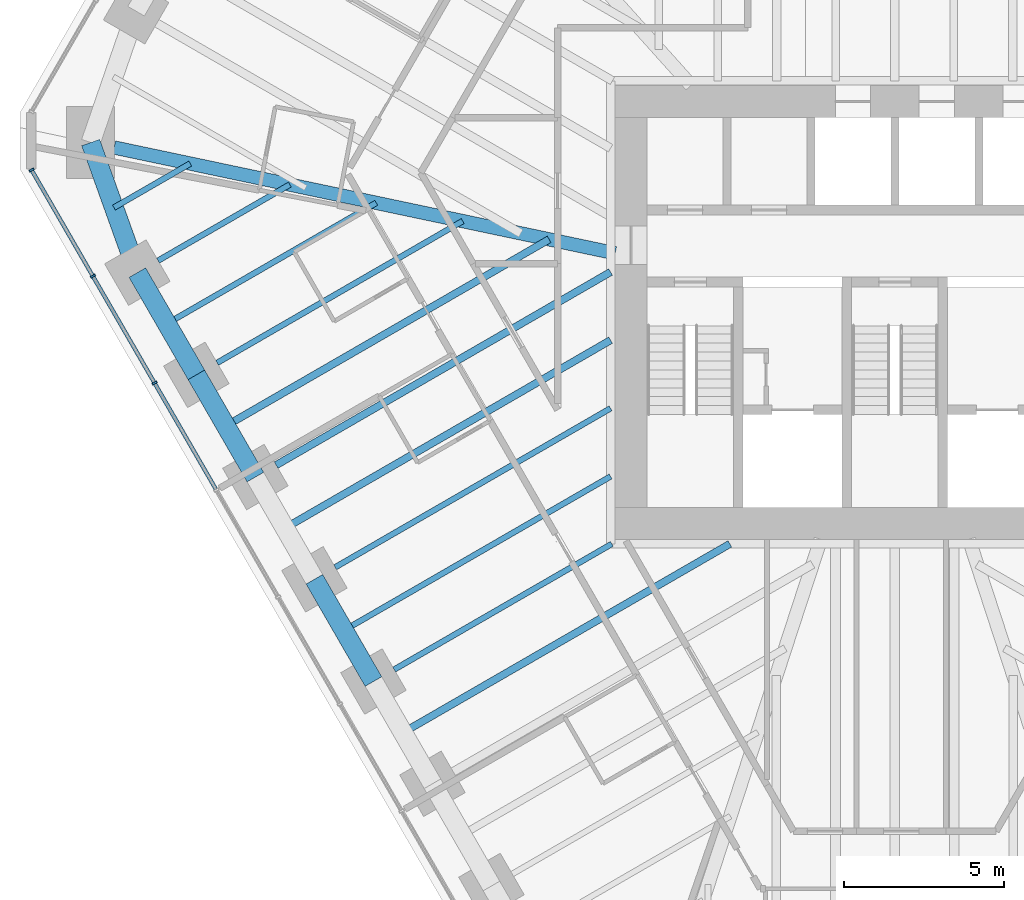
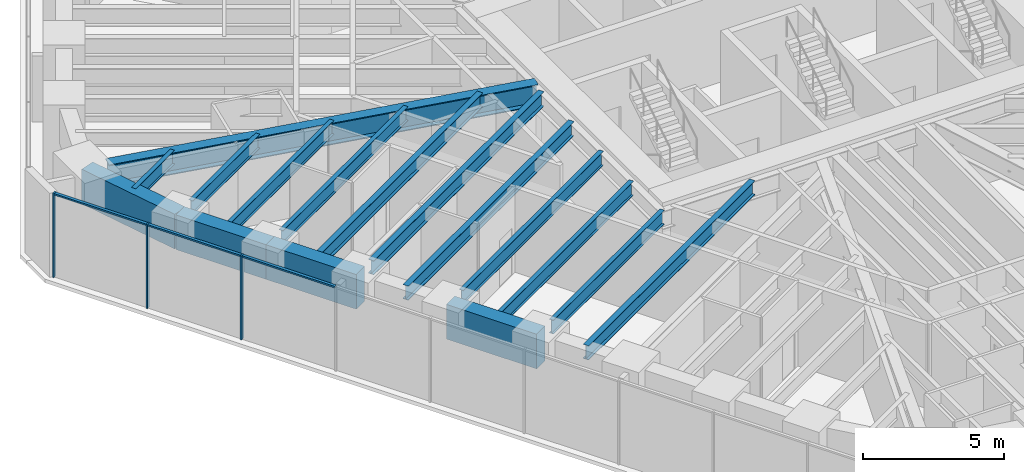
# One storey, part 3 of 17: 16 beams, 6 members, 1 element without a shape of its own.
"""IFC4 building model written with IfcOpenShell, lengths in metres."""

from ifc_helpers import new_model, si_unit, direction, frame, origin, origin_2d, place, context, subcontext, project, spatial, rectangle, i_section, extrude, material, material_profile, profile_set, type_object, element, aggregate, save


model = new_model("IFC4")

# Units and contexts
model_context = context("Model", 3, precision=1e-05, world=origin(), true_north=direction((0.0, 1.0)))
body_context = subcontext(model_context, "Body", "Model", "MODEL_VIEW")
ifc_project = project(units=[si_unit("LENGTHUNIT", "METRE"), si_unit("AREAUNIT", "SQUARE_METRE"), si_unit("VOLUMEUNIT", "CUBIC_METRE"), si_unit("PLANEANGLEUNIT", "RADIAN"), si_unit("MASSUNIT", "GRAM", prefix="KILO")], contexts=[model_context])

# Site, building, storey
site_placement = place(None, origin())
site = spatial("IfcSite", under=ifc_project, at=site_placement, CompositionType="ELEMENT")
building_placement = place(site_placement, origin())
building = spatial("IfcBuilding", under=site, at=building_placement, Name="Sandreach Pilgrim Tower", CompositionType="ELEMENT")
storey_placement = place(building_placement, frame((0.0, 0.0, 217.39990234375)))
storey = spatial("IfcBuildingStorey", under=building, at=storey_placement, Name="L54", CompositionType="ELEMENT", Elevation=217.39990234375)

# Curtain wall, members
ifc_material_1 = material(Name="Aluminium framed curtain wall", Category="aluminium")
curtain_wall_type = type_object("IfcCurtainWallType", Name="Upper hotel tower curtain wall", PredefinedType="NOTDEFINED", material=ifc_material_1)
curtain_wall_placement = place(storey_placement, origin())
curtain_wall = element("IfcCurtainWall", 1, at=curtain_wall_placement, inside=storey, type_object=curtain_wall_type, Name="CW-3 L54 SW", PredefinedType="NOTDEFINED")
ifc_material_2 = material(Name="Aluminium extrusion", Category="aluminium")
ifc_material_profile_1 = material_profile(ifc_material_2, rectangle(XDim=0.06494140625, YDim=0.159912109375, at=origin_2d()), Name="CW-3M 65X160")
ifc_profile_set_1 = profile_set([ifc_material_profile_1], Name="Aluminium extrusion")
member_type_1 = type_object("IfcMemberType", Name="CW-3 mullion", PredefinedType="MULLION", material=ifc_profile_set_1)
member_1_placement = place(storey_placement, frame((-23.15576171875, -2.21337890625, 0.0), z_axis=(0.0, 0.0, 1.0), x_axis=(-0.5, 0.866025403784, 0.0)))
member_1 = element("IfcMember", 2, at=member_1_placement, type_object=member_type_1, Name="CW-3 mullion 8", PredefinedType="MULLION", context=body_context, shape_type="SweptSolid", body=[
    extrude(rectangle(XDim=0.06494140625, YDim=0.159912109375, at=origin_2d()), origin(), (0.0, 0.0, 1.0), 3.64013671875),
])
member_2_placement = place(storey_placement, frame((-25.087890625, 1.13330078125, 0.0), z_axis=(0.0, 0.0, 1.0), x_axis=(-0.5, 0.866025403784, 0.0)))
member_2 = element("IfcMember", 3, at=member_2_placement, type_object=member_type_1, Name="CW-3 mullion 9", PredefinedType="MULLION", context=body_context, shape_type="SweptSolid", body=[
    extrude(rectangle(XDim=0.06494140625, YDim=0.159912109375, at=origin_2d()), origin(), (0.0, 0.0, 1.0), 3.64013671875),
])
member_3_placement = place(storey_placement, frame((-27.00390625, 4.451904296875, 0.0), z_axis=(0.0, 0.0, 1.0), x_axis=(-0.5, 0.866025403784, 0.0)))
member_3 = element("IfcMember", 4, at=member_3_placement, type_object=member_type_1, Name="CW-3 mullion 10", PredefinedType="MULLION", context=body_context, shape_type="SweptSolid", body=[
    extrude(rectangle(XDim=0.06494140625, YDim=0.159912109375, at=origin_2d()), origin(), (0.0, 0.0, 1.0), 3.64013671875),
])
ifc_material_3 = material(Name="Aluminium extrusion", Category="aluminium")
ifc_material_profile_2 = material_profile(ifc_material_3, rectangle(XDim=0.1201171875, YDim=0.070068359375, at=origin_2d()), Name="CW-3T 120X70")
ifc_profile_set_2 = profile_set([ifc_material_profile_2], Name="Aluminium extrusion")
member_type_2 = type_object("IfcMemberType", Name="CW-3 transom", PredefinedType="USERDEFINED", material=ifc_profile_set_2)
member_4_placement = place(storey_placement, frame((-21.23974609375, -5.531982421875, 3.60498046875), z_axis=(-0.499974606132, 0.866040064445, 0.0), x_axis=(-0.866040064445, -0.499974606132, 0.0)))
member_4 = element("IfcMember", 5, at=member_4_placement, type_object=member_type_2, Name="CW-3 head transom 7", ObjectType="TRANSOM", PredefinedType="USERDEFINED", context=body_context, shape_type="SweptSolid", body=[
    extrude(rectangle(XDim=0.1201171875, YDim=0.070068359375, at=origin_2d()), origin(), (0.0, 0.0, 1.0), 3.799560546875),
])
member_5_placement = place(storey_placement, frame((-23.171875, -2.185302734375, 3.60498046875), z_axis=(-0.500022797313, 0.86601224135, 0.0), x_axis=(-0.86601224135, -0.500022797313, 0.0)))
member_5 = element("IfcMember", 6, at=member_5_placement, type_object=member_type_2, Name="CW-3 head transom 8", ObjectType="TRANSOM", PredefinedType="USERDEFINED", context=body_context, shape_type="SweptSolid", body=[
    extrude(rectangle(XDim=0.1201171875, YDim=0.070068359375, at=origin_2d()), origin(), (0.0, 0.0, 1.0), 3.799560546875),
])
member_6_placement = place(storey_placement, frame((-25.104248046875, 1.161376953125, 3.60498046875), z_axis=(-0.499944992379, 0.86605716012, 0.0), x_axis=(-0.86605716012, -0.499944992379, 0.0)))
member_6 = element("IfcMember", 7, at=member_6_placement, type_object=member_type_2, Name="CW-3 head transom 9", ObjectType="TRANSOM", PredefinedType="USERDEFINED", context=body_context, shape_type="SweptSolid", body=[
    extrude(rectangle(XDim=0.1201171875, YDim=0.070068359375, at=origin_2d()), origin(), (0.0, 0.0, 1.0), 3.76708984375),
])
aggregate(curtain_wall, [member_1, member_2, member_3, member_4, member_5, member_6])

# Beams
ifc_material_4 = material(Name="Steel ASTM A992 Grade 50", Category="steel")
ifc_material_profile_3 = material_profile(ifc_material_4, i_section(OverallWidth=0.421630859375, OverallDepth=0.937255859375, WebThickness=0.0224609375, FlangeThickness=0.039794921875, at=origin_2d()), Name="W36X282")
ifc_profile_set_3 = profile_set([ifc_material_profile_3], Name="Steel ASTM A992 Grade 50")
beam_type_1 = type_object("IfcBeamType", Name="Corner girder W36X282", PredefinedType="BEAM", material=ifc_profile_set_3)
beam_1_placement = place(storey_placement, frame((-24.422607421875, 5.156494140625, 3.17138671875), z_axis=(0.978428978804, -0.206583478132, 0.0), x_axis=(0.206583478132, 0.978428978804, 0.0)))
element("IfcBeam", 8, at=beam_1_placement, inside=storey, type_object=beam_type_1, Name="BM L54 CG35", PredefinedType="BEAM", context=body_context, shape_type="SweptSolid", body=[
    extrude(i_section(OverallWidth=0.421630859375, OverallDepth=0.937255859375, WebThickness=0.0224609375, FlangeThickness=0.039794921875, at=origin_2d()), origin(), (0.0, 0.0, 1.0), 16.01806640625),
])
ifc_material_5 = material(Name="Steel ASTM A992 Grade 50", Category="steel")
ifc_material_profile_4 = material_profile(ifc_material_5, i_section(OverallWidth=0.1787109375, OverallDepth=0.60205078125, WebThickness=0.010986328125, FlangeThickness=0.014892578125, at=origin_2d()), Name="W24X62")
ifc_profile_set_4 = profile_set([ifc_material_profile_4], Name="Steel ASTM A992 Grade 50")
beam_type_2 = type_object("IfcBeamType", Name="Floor beam W24X62", PredefinedType="BEAM", material=ifc_profile_set_4)
beam_2_placement = place(storey_placement, frame((-15.661376953125, -11.173828125, 3.339111328125), z_axis=(0.866038711524, 0.49997694961, 0.0), x_axis=(-0.49997694961, 0.866038711524, 0.0)))
element("IfcBeam", 9, at=beam_2_placement, inside=storey, type_object=beam_type_2, Name="BM L54 F30", PredefinedType="BEAM", context=body_context, shape_type="SweptSolid", body=[
    extrude(i_section(OverallWidth=0.1787109375, OverallDepth=0.60205078125, WebThickness=0.010986328125, FlangeThickness=0.014892578125, at=origin_2d()), origin(), (0.0, 0.0, 1.0), 7.861083984375),
])
beam_3_placement = place(storey_placement, frame((-17.507568359375, -7.97607421875, 3.339111328125), z_axis=(0.866027815265, 0.499995823171, 0.0), x_axis=(-0.499995823171, 0.866027815265, 0.0)))
element("IfcBeam", 10, at=beam_3_placement, inside=storey, type_object=beam_type_2, Name="BM L54 F31", PredefinedType="BEAM", context=body_context, shape_type="SweptSolid", body=[
    extrude(i_section(OverallWidth=0.1787109375, OverallDepth=0.60205078125, WebThickness=0.010986328125, FlangeThickness=0.014892578125, at=origin_2d()), origin(), (0.0, 0.0, 1.0), 9.94677734375),
])
beam_4_placement = place(storey_placement, frame((-21.2001953125, -1.58056640625, 3.339111328125), z_axis=(0.866027448082, 0.499996459156, 0.0), x_axis=(-0.499996459156, 0.866027448082, 0.0)))
element("IfcBeam", 11, at=beam_4_placement, inside=storey, type_object=beam_type_2, Name="BM L54 F33", PredefinedType="BEAM", context=body_context, shape_type="SweptSolid", body=[
    extrude(i_section(OverallWidth=0.1787109375, OverallDepth=0.60205078125, WebThickness=0.010986328125, FlangeThickness=0.014892578125, at=origin_2d()), origin(), (0.0, 0.0, 1.0), 8.86962890625),
])
beam_5_placement = place(storey_placement, frame((-23.04638671875, 1.6171875, 3.339111328125), z_axis=(0.86603347311, 0.499986023258, 0.0), x_axis=(-0.499986023258, 0.86603347311, 0.0)))
element("IfcBeam", 12, at=beam_5_placement, inside=storey, type_object=beam_type_2, Name="BM L54 F34", PredefinedType="BEAM", context=body_context, shape_type="SweptSolid", body=[
    extrude(i_section(OverallWidth=0.1787109375, OverallDepth=0.60205078125, WebThickness=0.010986328125, FlangeThickness=0.014892578125, at=origin_2d()), origin(), (0.0, 0.0, 1.0), 4.757568359375),
])
beam_6_placement = place(storey_placement, frame((-17.23388671875, -9.949951171875, 3.339111328125), z_axis=(0.866025593094, 0.499999672107, 0.0), x_axis=(-0.499999672107, 0.866025593094, 0.0)))
element("IfcBeam", 13, at=beam_6_placement, inside=storey, type_object=beam_type_2, Name="BM L54 FM30", PredefinedType="BEAM", context=body_context, shape_type="SweptSolid", body=[
    extrude(i_section(OverallWidth=0.1787109375, OverallDepth=0.60205078125, WebThickness=0.010986328125, FlangeThickness=0.014892578125, at=origin_2d()), origin(), (0.0, 0.0, 1.0), 9.630859375),
])
beam_7_placement = place(storey_placement, frame((-22.772705078125, -0.356689453125, 3.339111328125), z_axis=(0.866029704776, 0.49999255039, 0.0), x_axis=(-0.49999255039, 0.866029704776, 0.0)))
element("IfcBeam", 14, at=beam_7_placement, inside=storey, type_object=beam_type_2, Name="BM L54 FM33", PredefinedType="BEAM", context=body_context, shape_type="SweptSolid", body=[
    extrude(i_section(OverallWidth=0.1787109375, OverallDepth=0.60205078125, WebThickness=0.010986328125, FlangeThickness=0.014892578125, at=origin_2d()), origin(), (0.0, 0.0, 1.0), 7.5634765625),
])
beam_8_placement = place(storey_placement, frame((-24.42626953125, 3.27685546875, 3.339111328125), z_axis=(0.866046803606, 0.49996293259, 0.0), x_axis=(-0.49996293259, 0.866046803606, 0.0)))
element("IfcBeam", 15, at=beam_8_placement, inside=storey, type_object=beam_type_2, Name="BM L54 FM34", PredefinedType="BEAM", context=body_context, shape_type="SweptSolid", body=[
    extrude(i_section(OverallWidth=0.1787109375, OverallDepth=0.60205078125, WebThickness=0.010986328125, FlangeThickness=0.014892578125, at=origin_2d()), origin(), (0.0, 0.0, 1.0), 2.753662109375),
])
ifc_material_6 = material(Name="Steel ASTM A992 Grade 50", Category="steel")
ifc_material_profile_5 = material_profile(ifc_material_6, i_section(OverallWidth=0.23046875, OverallDepth=0.6171875, WebThickness=0.01318359375, FlangeThickness=0.022216796875, at=origin_2d()), Name="W24X94")
ifc_profile_set_5 = profile_set([ifc_material_profile_5], Name="Steel ASTM A992 Grade 50")
beam_type_3 = type_object("IfcBeamType", Name="Floor beam W24X94", PredefinedType="BEAM", material=ifc_profile_set_5)
beam_9_placement = place(storey_placement, frame((-19.353759765625, -4.7783203125, 3.33154296875), z_axis=(0.866026713419, 0.49999773164, 0.0), x_axis=(-0.49999773164, 0.866026713419, 0.0)))
element("IfcBeam", 16, at=beam_9_placement, inside=storey, type_object=beam_type_3, Name="BM L54 F32", PredefinedType="BEAM", context=body_context, shape_type="SweptSolid", body=[
    extrude(i_section(OverallWidth=0.23046875, OverallDepth=0.6171875, WebThickness=0.01318359375, FlangeThickness=0.022216796875, at=origin_2d()), origin(), (0.0, 0.0, 1.0), 12.07861328125),
])
beam_10_placement = place(storey_placement, frame((-15.3876953125, -13.14794921875, 3.33154296875), z_axis=(0.866022050506, 0.500005808004, 0.0), x_axis=(-0.500005808004, 0.866022050506, 0.0)))
element("IfcBeam", 17, at=beam_10_placement, inside=storey, type_object=beam_type_3, Name="BM L54 FM29", PredefinedType="BEAM", context=body_context, shape_type="SweptSolid", body=[
    extrude(i_section(OverallWidth=0.23046875, OverallDepth=0.6171875, WebThickness=0.01318359375, FlangeThickness=0.022216796875, at=origin_2d()), origin(), (0.0, 0.0, 1.0), 11.808837890625),
])
beam_11_placement = place(storey_placement, frame((-19.080322265625, -6.752197265625, 3.33154296875), z_axis=(0.866030053141, 0.499991946992, 0.0), x_axis=(-0.499991946992, 0.866030053141, 0.0)))
element("IfcBeam", 18, at=beam_11_placement, inside=storey, type_object=beam_type_3, Name="BM L54 FM31", PredefinedType="BEAM", context=body_context, shape_type="SweptSolid", body=[
    extrude(i_section(OverallWidth=0.23046875, OverallDepth=0.6171875, WebThickness=0.01318359375, FlangeThickness=0.022216796875, at=origin_2d()), origin(), (0.0, 0.0, 1.0), 11.762939453125),
])
beam_12_placement = place(storey_placement, frame((-20.926513671875, -3.554443359375, 3.33154296875), z_axis=(0.866026454974, 0.499998179282, 0.0), x_axis=(-0.499998179282, 0.866026454974, 0.0)))
element("IfcBeam", 19, at=beam_12_placement, inside=storey, type_object=beam_type_3, Name="BM L54 FM32", PredefinedType="BEAM", context=body_context, shape_type="SweptSolid", body=[
    extrude(i_section(OverallWidth=0.23046875, OverallDepth=0.6171875, WebThickness=0.01318359375, FlangeThickness=0.022216796875, at=origin_2d()), origin(), (0.0, 0.0, 1.0), 11.67578125),
])
ifc_material_7 = material(Name="Concrete 10000 psi", Category="concrete")
ifc_material_profile_6 = material_profile(ifc_material_7, rectangle(XDim=0.60009765625, YDim=1.5, at=origin_2d()), Name="RC600X1500")
ifc_profile_set_6 = profile_set([ifc_material_profile_6], Name="Concrete 10000 psi")
beam_type_4 = type_object("IfcBeamType", Name="Spandrel beam RC600X1500", PredefinedType="SPANDREL", material=ifc_profile_set_6)
beam_13_placement = place(storey_placement, frame((-16.310791015625, -11.548828125, 2.89013671875), z_axis=(-0.500042951019, 0.866000604582, 0.0), x_axis=(-0.866000604582, -0.500042951019, 0.0)))
element("IfcBeam", 20, at=beam_13_placement, inside=storey, type_object=beam_type_4, Name="BM L54 SP30", PredefinedType="SPANDREL", context=body_context, shape_type="SweptSolid", body=[
    extrude(rectangle(XDim=0.60009765625, YDim=1.5, at=origin_2d()), origin(), (0.0, 0.0, 1.0), 3.692626953125),
])
for number, where, z_axis, x_axis, name in (
    (21, (-20.00341796875, -5.1533203125, 2.89013671875), (-0.499993363642, 0.866029235253, 0.0), (-0.866029235253, -0.499993363642, 0.0), "BM L54 SP32"),
    (22, (-21.849609375, -1.95556640625, 2.89013671875), (-0.499993363642, 0.866029235253, 0.0), (-0.866029235253, -0.499993363642, 0.0), "BM L54 SP33"),
):
    element("IfcBeam", number, at=place(storey_placement, frame(where, z_axis=z_axis, x_axis=x_axis)), inside=storey, type_object=beam_type_4, Name=name, PredefinedType="SPANDREL", context=body_context, shape_type="SweptSolid", body=[
        extrude(rectangle(XDim=0.60009765625, YDim=1.5, at=origin_2d()), origin(), (0.0, 0.0, 1.0), 3.6923828125),
    ])
beam_14_placement = place(storey_placement, frame((-23.69580078125, 1.2421875, 2.89013671875), z_axis=(-0.337863470932, 0.941195131208, 0.0), x_axis=(-0.941195131208, -0.337863470932, 0.0)))
element("IfcBeam", 23, at=beam_14_placement, inside=storey, type_object=beam_type_4, Name="BM L54 SP34", PredefinedType="SPANDREL", context=body_context, shape_type="SweptSolid", body=[
    extrude(rectangle(XDim=0.60009765625, YDim=1.5, at=origin_2d()), origin(), (0.0, 0.0, 1.0), 4.3232421875),
])

save(model, "model.ifc")
